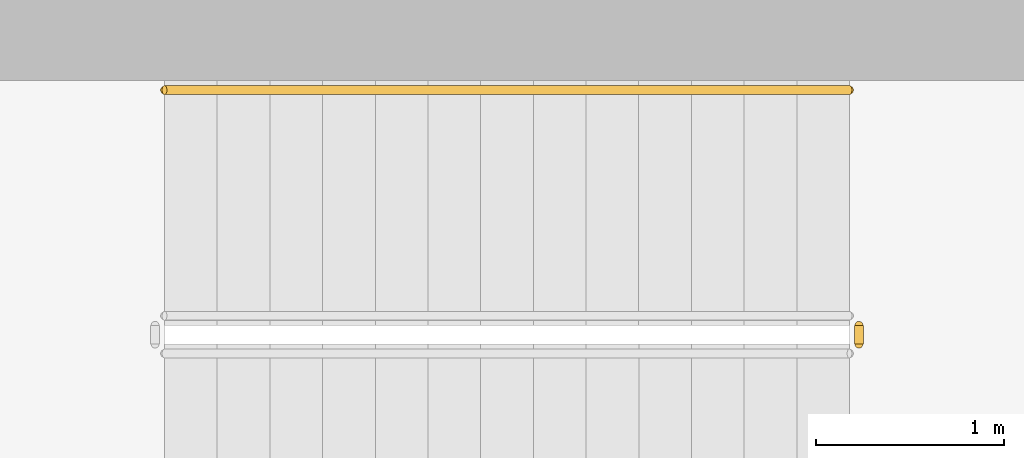
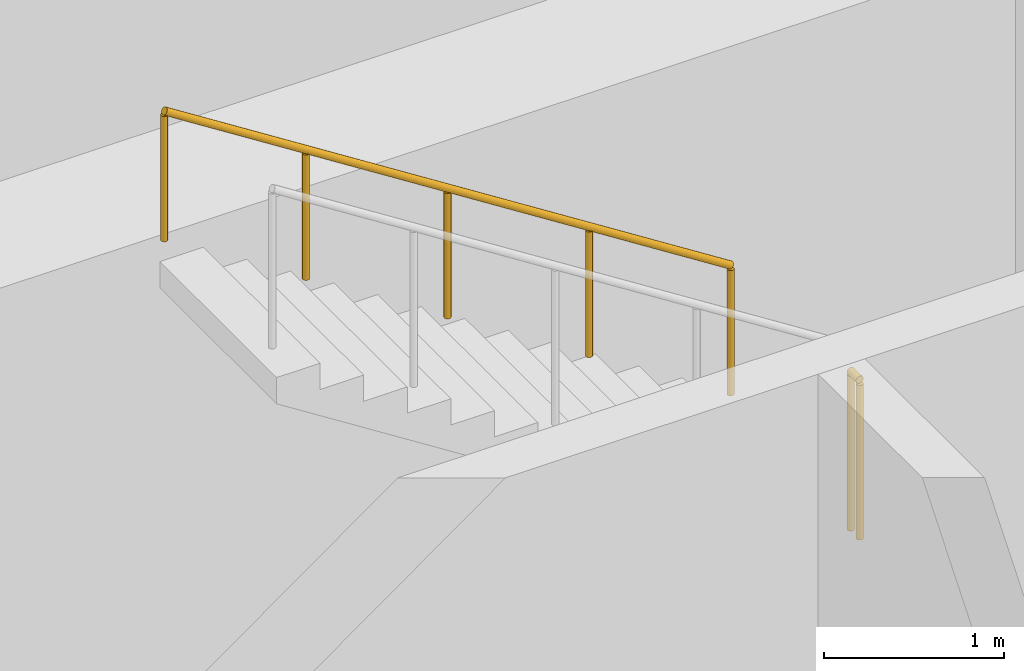
# One storey, part 24 of 33: 2 railings.
"""IFC4 building model written with IfcOpenShell, lengths in metres."""

from ifc_helpers import new_model, si_unit, direction, frame, origin, origin_2d, place, context, subcontext, project, spatial, circle, extrude, material, type_object, element, save


model = new_model("IFC4")

# Units and contexts
model_context = context("Model", 3, precision=1e-05, world=origin(), true_north=direction((0.0, 1.0)))
body_context = subcontext(model_context, "Body", "Model", "MODEL_VIEW")
ifc_project = project(units=[si_unit("LENGTHUNIT", "METRE"), si_unit("AREAUNIT", "SQUARE_METRE"), si_unit("VOLUMEUNIT", "CUBIC_METRE"), si_unit("PLANEANGLEUNIT", "RADIAN"), si_unit("MASSUNIT", "GRAM", prefix="KILO")], contexts=[model_context])

# Site, building, storey
site_placement = place(None, origin())
site = spatial("IfcSite", under=ifc_project, at=site_placement, CompositionType="ELEMENT")
building_placement = place(site_placement, origin())
building = spatial("IfcBuilding", under=site, at=building_placement, Name="Ogive Portal Towers", CompositionType="ELEMENT")
storey_placement = place(building_placement, frame((0.0, 0.0, 28.5)))
storey = spatial("IfcBuildingStorey", under=building, at=storey_placement, Name="L05", CompositionType="ELEMENT", Elevation=28.5)

# Railings
ifc_material_1 = material(Name="Stainless steel balustrade", Category="steel")
railing_type_1 = type_object("IfcRailingType", Name="INT-GUARD", PredefinedType="GUARDRAIL", material=ifc_material_1)
railing_1_placement = place(storey_placement, frame((56.239990234375, 37.64990234375, 2.5)))
element("IfcRailing", 1, at=railing_1_placement, inside=storey, type_object=railing_type_1, Name="L05 ST-A2 stair guard 2", PredefinedType="GUARDRAIL", context=body_context, shape_type="SweptSolid", body=[
    extrude(circle(Radius=0.02392578125, at=origin_2d()), frame((0.0, 0.0, 1.076171875), z_axis=(0.0, 1.0, 0.0), x_axis=(-1.0, 0.0, 0.0)), (0.0, 0.0, 1.0), 0.10009765625),
    extrude(circle(Radius=0.02099609375, at=origin_2d()), origin(), (0.0, 0.0, 1.0), 1.052001953125),
    extrude(circle(Radius=0.02099609375, at=origin_2d()), frame((0.0, 0.10009765625, 0.0)), (0.0, 0.0, 1.0), 1.052001953125),
])
ifc_material_2 = material(Name="Stainless steel handrail", Category="steel")
railing_type_2 = type_object("IfcRailingType", Name="INT-HANDRAIL", PredefinedType="HANDRAIL", material=ifc_material_2)
railing_2_placement = place(storey_placement, frame((56.18994140625, 39.0, 2.678466796875)))
element("IfcRailing", 2, at=railing_2_placement, inside=storey, type_object=railing_type_2, Name="L05 ST-A2 stair handrail 2", PredefinedType="HANDRAIL", context=body_context, shape_type="SweptSolid", body=[
    extrude(circle(Radius=0.02392578125, at=origin_2d()), frame((0.0, 0.0, 0.8759765625), z_axis=(-0.843111507901, 0.0, 0.53773877045), x_axis=(0.0, -1.0, 0.0)), (0.0, 0.0, 1.0), 4.317138671875),
    extrude(circle(Radius=0.02099609375, at=origin_2d()), origin(), (0.0, 0.0, 1.0), 0.851806640625),
    extrude(circle(Radius=0.02099609375, at=origin_2d()), frame((-0.909912109375, 0.0, 0.580322265625)), (0.0, 0.0, 1.0), 0.851806640625),
    extrude(circle(Radius=0.02099609375, at=origin_2d()), frame((-1.81982421875, 0.0, 1.16064453125)), (0.0, 0.0, 1.0), 0.851806640625),
    extrude(circle(Radius=0.02099609375, at=origin_2d()), frame((-2.72998046875, 0.0, 1.7412109375)), (0.0, 0.0, 1.0), 0.851806640625),
    extrude(circle(Radius=0.02099609375, at=origin_2d()), frame((-3.639892578125, 0.0, 2.321533203125)), (0.0, 0.0, 1.0), 0.851806640625),
])

save(model, "model.ifc")
